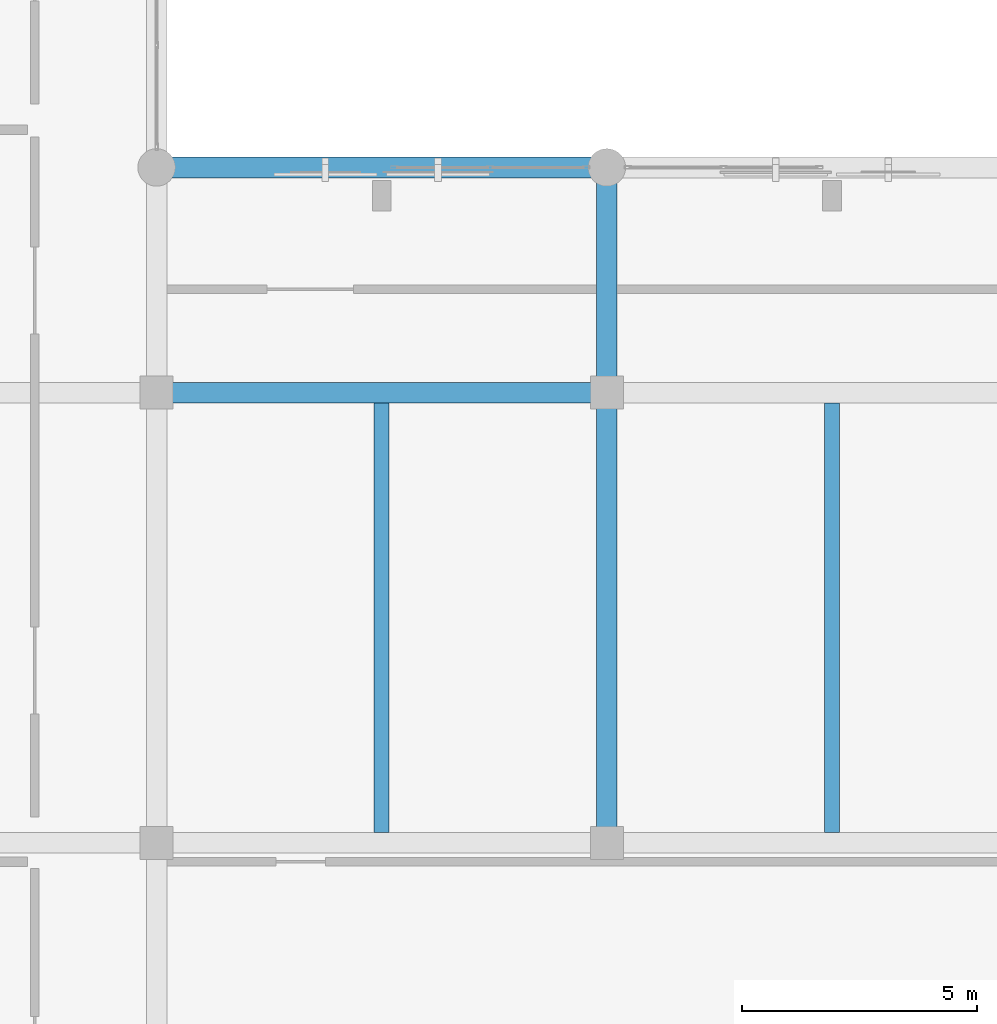
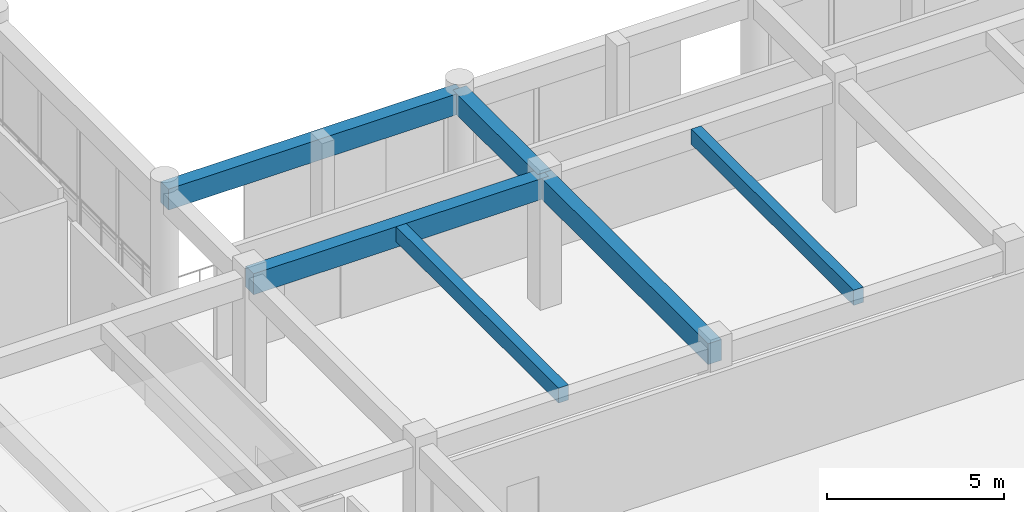
# One storey, part 21 of 133: 6 beams.
"""IFC4 building model written with IfcOpenShell, lengths in metres."""

from ifc_helpers import new_model, si_unit, direction, frame, origin, origin_2d, place, context, subcontext, project, spatial, rectangle, extrude, material, material_profile, profile_set, type_object, element, save


model = new_model("IFC4")

# Units and contexts
model_context = context("Model", 3, precision=1e-05, world=origin(), true_north=direction((0.0, 1.0)))
body_context = subcontext(model_context, "Body", "Model", "MODEL_VIEW")
ifc_project = project(units=[si_unit("LENGTHUNIT", "METRE"), si_unit("AREAUNIT", "SQUARE_METRE"), si_unit("VOLUMEUNIT", "CUBIC_METRE"), si_unit("PLANEANGLEUNIT", "RADIAN"), si_unit("MASSUNIT", "GRAM", prefix="KILO")], contexts=[model_context])

# Site, building, storey
site_placement = place(None, origin())
site = spatial("IfcSite", under=ifc_project, at=site_placement, CompositionType="ELEMENT")
building_placement = place(site_placement, origin())
building = spatial("IfcBuilding", under=site, at=building_placement, Name="Nakhvara Creek Congress Hotel", CompositionType="ELEMENT")
storey_placement = place(building_placement, frame((0.0, 0.0, 11.39990234375)))
storey = spatial("IfcBuildingStorey", under=building, at=storey_placement, Name="L02", CompositionType="ELEMENT", Elevation=11.39990234375)

# Beams
ifc_material = material(Name="Concrete C40/50", Category="concrete")
ifc_material_profile_1 = material_profile(ifc_material, rectangle(XDim=0.320068359375, YDim=0.52001953125, at=origin_2d()), Name="RC-BM 320x520", Category="LoadBearing")
ifc_profile_set_1 = profile_set([ifc_material_profile_1], Name="Concrete C40/50")
beam_type_1 = type_object("IfcBeamType", Name="BM-RC-320X520", PredefinedType="JOIST", material=ifc_profile_set_1)
for number, where, z_axis, x_axis, name in (
    (1, (81.60009765625, 29.02001953125, 4.16015625), (0.0, 1.0, 0.0), (-1.0, 0.0, 0.0), "Secondary Joist BJ2-L02-1669"),
    (2, (91.199951171875, 29.02001953125, 4.16015625), (0.0, 1.0, 0.0), (-1.0, 0.0, 0.0), "Secondary Joist BJ2-L02-1673"),
):
    element("IfcBeam", number, at=place(storey_placement, frame(where, z_axis=z_axis, x_axis=x_axis)), inside=storey, type_object=beam_type_1, Name=name, PredefinedType="JOIST", context=body_context, shape_type="SweptSolid", body=[
        extrude(rectangle(XDim=0.320068359375, YDim=0.52001953125, at=origin_2d()), origin(), (0.0, 0.0, 1.0), 9.159912109375),
    ])
ifc_material_profile_2 = material_profile(ifc_material, rectangle(XDim=0.43994140625, YDim=0.719970703125, at=origin_2d()), Name="RC-BM 440x720", Category="LoadBearing")
ifc_profile_set_2 = profile_set([ifc_material_profile_2], Name="Concrete C40/50")
beam_type_2 = type_object("IfcBeamType", Name="BM-RC-440X720", PredefinedType="BEAM", material=ifc_profile_set_2)
for number, where, z_axis, x_axis, name in (
    (3, (76.800048828125, 38.39990234375, 4.06005859375), (1.0, 0.0, 0.0), (0.0, 1.0, 0.0), "Beam B12-L02-1455"),
    (4, (76.800048828125, 43.199951171875, 4.06005859375), (1.0, 0.0, 0.0), (0.0, 1.0, 0.0), "Beam B12-L02-1457"),
    (5, (86.39990234375, 28.800048828125, 4.06005859375), (0.0, 1.0, 0.0), (-1.0, 0.0, 0.0), "Beam B12-L02-1469"),
):
    element("IfcBeam", number, at=place(storey_placement, frame(where, z_axis=z_axis, x_axis=x_axis)), inside=storey, type_object=beam_type_2, Name=name, PredefinedType="BEAM", context=body_context, shape_type="SweptSolid", body=[
        extrude(rectangle(XDim=0.43994140625, YDim=0.719970703125, at=origin_2d()), origin(), (0.0, 0.0, 1.0), 9.599853515625),
    ])
beam_placement = place(storey_placement, frame((86.39990234375, 38.39990234375, 4.06005859375), z_axis=(0.0, 1.0, 0.0), x_axis=(-1.0, 0.0, 0.0)))
element("IfcBeam", 6, at=beam_placement, inside=storey, type_object=beam_type_2, Name="Beam B12-L02-1471", PredefinedType="BEAM", context=body_context, shape_type="SweptSolid", body=[
    extrude(rectangle(XDim=0.43994140625, YDim=0.719970703125, at=origin_2d()), origin(), (0.0, 0.0, 1.0), 4.800048828125),
])

save(model, "model.ifc")
